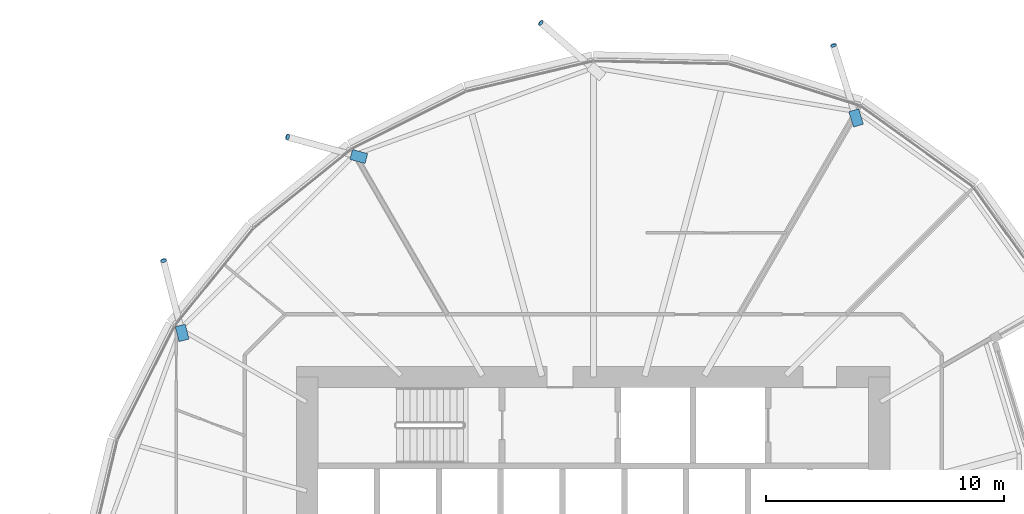
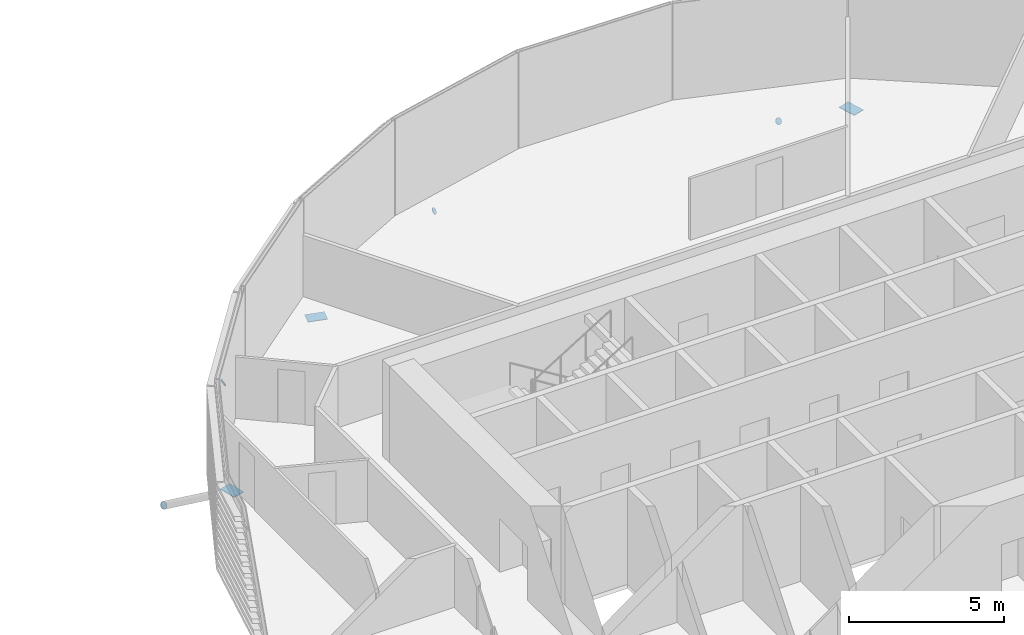
# One storey, part 32 of 38: 7 discrete accessories.
"""IFC4 building model written with IfcOpenShell, lengths in metres."""

from ifc_helpers import new_model, si_unit, direction, frame, origin, origin_2d, place, context, subcontext, project, spatial, polyline, rectangle, circle, outline, extrude, material, material_profile, profile_set, type_object, element, save


model = new_model("IFC4")

# Units and contexts
model_context = context("Model", 3, precision=1e-05, world=origin(), true_north=direction((0.0, 1.0)))
body_context = subcontext(model_context, "Body", "Model", "MODEL_VIEW")
ifc_project = project(units=[si_unit("LENGTHUNIT", "METRE"), si_unit("AREAUNIT", "SQUARE_METRE"), si_unit("VOLUMEUNIT", "CUBIC_METRE"), si_unit("PLANEANGLEUNIT", "RADIAN"), si_unit("MASSUNIT", "GRAM", prefix="KILO")], contexts=[model_context])

# Site, building, storey
site_placement = place(None, origin())
site = spatial("IfcSite", under=ifc_project, at=site_placement, CompositionType="ELEMENT")
building_placement = place(site_placement, origin())
building = spatial("IfcBuilding", under=site, at=building_placement, Name="Rimbun Link Towers", CompositionType="ELEMENT")
storey_placement = place(building_placement, frame((0.0, 0.0, 49.0)))
storey = spatial("IfcBuildingStorey", under=building, at=storey_placement, Name="L11", CompositionType="ELEMENT", Elevation=49.0)

# Discrete accessories
ifc_material_1 = material(Name="Steel S355J2H", Category="steel")
ifc_material_profile_1 = material_profile(ifc_material_1, circle(Radius=0.1240234375, at=origin_2d()), Name="PL D248")
ifc_profile_set_1 = profile_set([ifc_material_profile_1], Name="Steel S355J2H")
discrete_accessory_type_1 = type_object("IfcDiscreteAccessoryType", Name="Link foot sealing plate D248X20", PredefinedType="BRACKET", material=ifc_profile_set_1)
discrete_accessory_1_placement = place(storey_placement, frame((41.82861328125, 21.906494140625, -2.85498046875), z_axis=(-0.24448489344, 0.80680014835, -0.537866765567), x_axis=(-0.957024404433, -0.290007395283, 0.0)))
element("IfcDiscreteAccessory", 1, at=discrete_accessory_1_placement, inside=storey, type_object=discrete_accessory_type_1, Name="Link foot sealing plate T2 L11 01", PredefinedType="BRACKET", context=body_context, shape_type="SweptSolid", body=[
    extrude(circle(Radius=0.1240234375, at=origin_2d()), origin(), (0.0, 0.0, 1.0), 0.02001953125),
])
discrete_accessory_2_placement = place(storey_placement, frame((29.55322265625, 22.854248046875, -2.669677734375), z_axis=(-0.652088565631, 0.565963660736, -0.504445871526), x_axis=(-0.655472859889, -0.755218729872, 0.0)))
element("IfcDiscreteAccessory", 2, at=discrete_accessory_2_placement, inside=storey, type_object=discrete_accessory_type_1, Name="Link foot sealing plate T2 L11 03", PredefinedType="BRACKET", context=body_context, shape_type="SweptSolid", body=[
    extrude(circle(Radius=0.1240234375, at=origin_2d()), origin(), (0.0, 0.0, 1.0), 0.019775390625),
])
for number, where, z_axis, x_axis, name in (
    (3, (18.92578125, 18.063232421875, -2.801513671875), (-0.806017635992, 0.219822991634, -0.549557479085), (-0.263117405792, -0.964763821238, 0.0), "Link foot sealing plate T2 L11 05"),
    (4, (13.71728515625, 12.877197265625, -2.6669921875), (-0.207332491092, 0.792741877703, -0.573213357724), (-0.967459022681, -0.253027744394, 0.0), "Link foot sealing plate T2 L11 07"),
):
    element("IfcDiscreteAccessory", number, at=place(storey_placement, frame(where, z_axis=z_axis, x_axis=x_axis)), inside=storey, type_object=discrete_accessory_type_1, Name=name, PredefinedType="BRACKET", context=body_context, shape_type="SweptSolid", body=[
        extrude(circle(Radius=0.1240234375, at=origin_2d()), origin(), (0.0, 0.0, 1.0), 0.02001953125),
    ])
ifc_material_2 = material(Name="Steel S355J2H", Category="steel")
ifc_material_profile_2 = material_profile(ifc_material_2, rectangle(XDim=0.43310546875, YDim=0.43310546875, at=origin_2d()), Name="PL 433x433")
ifc_profile_set_2 = profile_set([ifc_material_profile_2], Name="Steel S355J2H")
discrete_accessory_type_2 = type_object("IfcDiscreteAccessoryType", Name="Link head end plate 433X20", PredefinedType="BRACKET", material=ifc_profile_set_2)
discrete_accessory_3_placement = place(storey_placement, frame((0.0, 0.0, -0.863525390625)))
element("IfcDiscreteAccessory", 5, at=discrete_accessory_3_placement, inside=storey, type_object=discrete_accessory_type_2, Name="Link head end plate T2 L11 01", PredefinedType="BRACKET", context=body_context, shape_type="SweptSolid", body=[
    extrude(outline(polyline([(43.080322265625, 18.610107421875), (42.8798828125, 19.25439453125), (42.466552734375, 19.125732421875), (42.666748046875, 18.481689453125), (43.080322265625, 18.610107421875)])), origin(), (0.0, 0.0, 1.0), 0.02001953125),
])
discrete_accessory_4_placement = place(storey_placement, frame((0.0, 0.0, -0.78271484375)))
element("IfcDiscreteAccessory", 6, at=discrete_accessory_4_placement, inside=storey, type_object=discrete_accessory_type_2, Name="Link head end plate T2 L11 05", PredefinedType="BRACKET", context=body_context, shape_type="SweptSolid", body=[
    extrude(outline(polyline([(22.28369140625, 17.371337890625), (21.647705078125, 17.544921875), (21.53369140625, 17.127197265625), (22.169921875, 16.95361328125), (22.28369140625, 17.371337890625)])), origin(), (0.0, 0.0, 1.0), 0.02001953125),
])
discrete_accessory_5_placement = place(storey_placement, frame((0.0, 0.0, -0.534912109375)))
element("IfcDiscreteAccessory", 7, at=discrete_accessory_5_placement, inside=storey, type_object=discrete_accessory_type_2, Name="Link head end plate T2 L11 07", PredefinedType="BRACKET", context=body_context, shape_type="SweptSolid", body=[
    extrude(outline(polyline([(14.78662109375, 9.590576171875), (14.6259765625, 10.21484375), (14.206787109375, 10.10693359375), (14.367431640625, 9.482666015625), (14.78662109375, 9.590576171875)])), origin(), (0.0, 0.0, 1.0), 0.02001953125),
])

save(model, "model.ifc")
